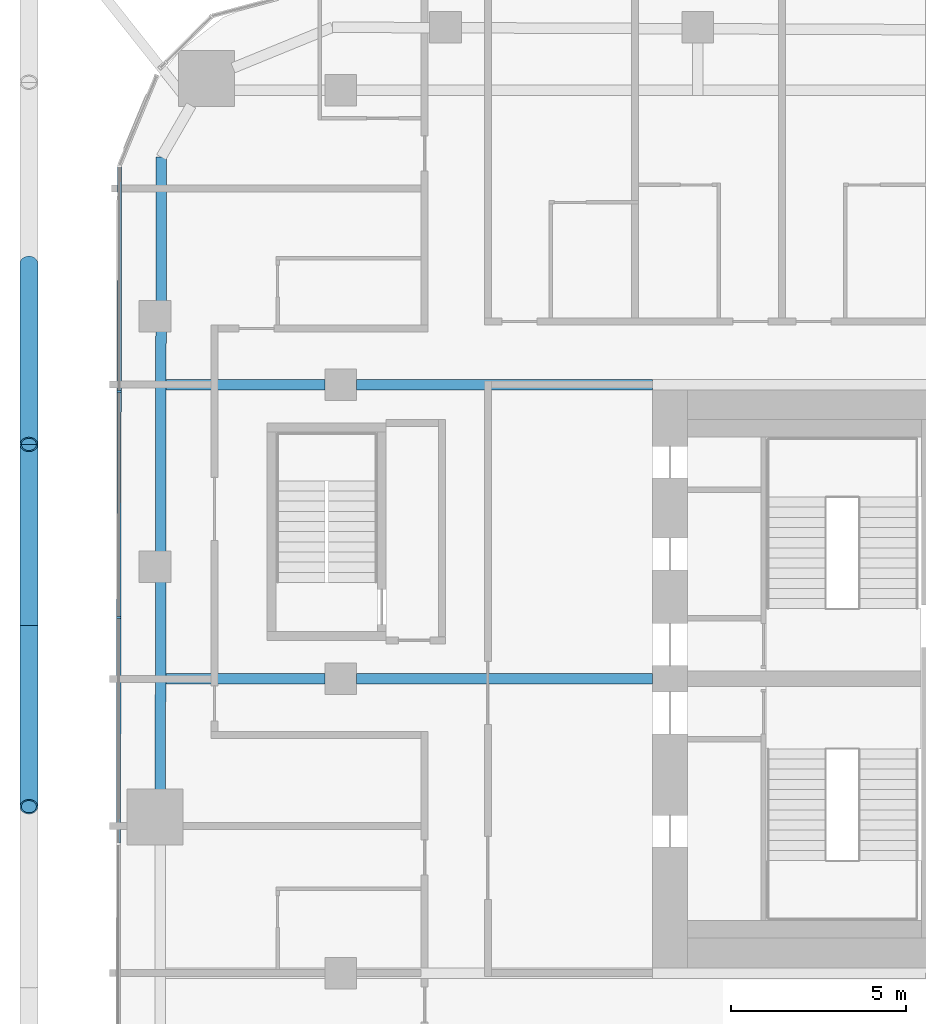
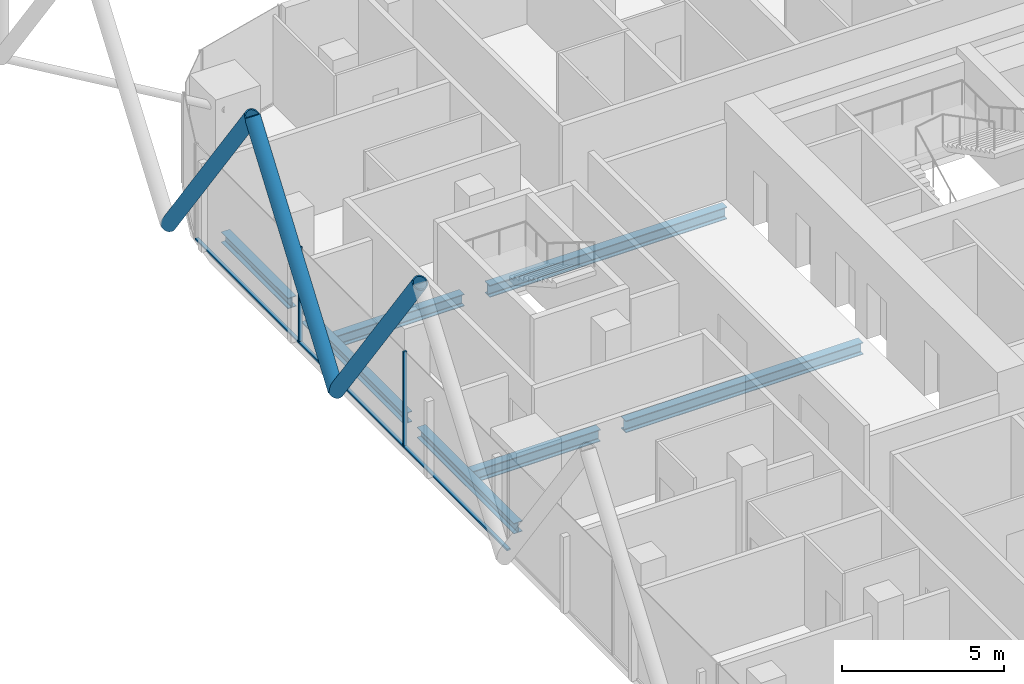
# One storey, part 9 of 33: 8 members, 7 beams, 1 element without a shape of its own.
"""IFC4 building model written with IfcOpenShell, lengths in metres."""

import ifcopenshell
import ifcopenshell.guid

model = None  # the IFC model being written
_history = None  # IfcOwnerHistory: only IFC2X3 demands one
_inside = {}  # id of a spatial element -> (the spatial element, [elements in it])
_under = {}  # id of a project, library or spatial element -> (it, [spatial elements below it])
_declared = {}  # id of a project -> (the project, [libraries it declares])
_typed = {}  # id of a type object -> (the type object, [elements of that type])
_made_of = {}  # id of a material, layer set ... -> (it, [elements and type objects made of it])


def new_model(schema):
    """Start an empty IFC model of exactly this schema.

    Asked for "IFC4X3", IfcOpenShell would pick the latest addendum, in which some entities
    have other attributes; the version numbers below select the first issue.
    IFC2X3 requires an IfcOwnerHistory on every rooted entity: one is made here for all.
    """
    global model, _history
    if schema == "IFC4X3":
        model = ifcopenshell.file(schema_version=(4, 3, 0, 0))
    else:
        model = ifcopenshell.file(schema=schema)
    _inside.clear()
    _under.clear()
    _declared.clear()
    _typed.clear()
    _made_of.clear()
    _history = None
    if model.schema == "IFC2X3":
        org = make("IfcOrganization", Name="unknown")
        user = make(
            "IfcPersonAndOrganization",
            ThePerson=make("IfcPerson", FamilyName="unknown"),
            TheOrganization=org,
        )
        app = make(
            "IfcApplication",
            ApplicationDeveloper=org,
            Version="unknown",
            ApplicationFullName="unknown",
            ApplicationIdentifier="unknown",
        )
        _history = make(
            "IfcOwnerHistory",
            OwningUser=user,
            OwningApplication=app,
            ChangeAction="ADDED",
            CreationDate=0,
        )
    return model


def make(cls, **values):
    """One entity of the class cls with the attributes given. An attribute that is None is left unset."""
    return model.create_entity(
        cls, **{name: value for name, value in values.items() if value is not None}
    )


def rooted(cls, **values):
    """An entity with a GlobalId (a new one), such as an element, a storey or a relation."""
    return make(cls, GlobalId=ifcopenshell.guid.new(), OwnerHistory=_history, **values)


def si_unit(unit_type, name, prefix=None):
    """IfcSIUnit, for example si_unit("LENGTHUNIT", "METRE", prefix="MILLI")."""
    return make("IfcSIUnit", UnitType=unit_type, Prefix=prefix, Name=name)


def assignment(units):
    """IfcUnitAssignment: the units of a project."""
    return None if units is None else make("IfcUnitAssignment", Units=units)


def point(xyz):
    """IfcCartesianPoint."""
    return None if xyz is None else make("IfcCartesianPoint", Coordinates=xyz)


def direction(xyz):
    """IfcDirection."""
    return None if xyz is None else make("IfcDirection", DirectionRatios=xyz)


def frame(location, z_axis=None, x_axis=None):
    """IfcAxis2Placement3D, a coordinate frame: its origin and axes. An axis left out is left unset."""
    return make(
        "IfcAxis2Placement3D",
        Location=point(location),
        Axis=direction(z_axis),
        RefDirection=direction(x_axis),
    )


def frame_2d(location, x_axis=None):
    """IfcAxis2Placement2D, a coordinate frame in the plane: its origin and x axis."""
    return make(
        "IfcAxis2Placement2D", Location=point(location), RefDirection=direction(x_axis)
    )


def origin():
    """The frame at (0, 0, 0) with its axes left unset."""
    return frame((0.0, 0.0, 0.0))


def origin_2d():
    """The frame at (0, 0) in the plane with its x axis left unset."""
    return frame_2d((0.0, 0.0))


def place(relative_to, where):
    """IfcLocalPlacement: puts the frame where relative to a parent placement (None: the world)."""
    return make(
        "IfcLocalPlacement", PlacementRelTo=relative_to, RelativePlacement=where
    )


def context(
    kind, dimensions, precision=None, world=None, true_north=None, identifier=None
):
    """IfcGeometricRepresentationContext, for example the 3D "Model" context."""
    return make(
        "IfcGeometricRepresentationContext",
        ContextIdentifier=identifier,
        ContextType=kind,
        CoordinateSpaceDimension=dimensions,
        Precision=precision,
        WorldCoordinateSystem=world,
        TrueNorth=true_north,
    )


def subcontext(parent, identifier, kind, view, scale=None):
    """IfcGeometricRepresentationSubContext, for example "Body" below "Model"."""
    return make(
        "IfcGeometricRepresentationSubContext",
        ContextIdentifier=identifier,
        ContextType=kind,
        ParentContext=parent,
        TargetScale=scale,
        TargetView=view,
    )


def project(units=None, contexts=None):
    """IfcProject with its units and contexts."""
    return rooted(
        "IfcProject",
        Name="project",
        RepresentationContexts=contexts,
        UnitsInContext=assignment(units),
    )


def spatial(cls, under=None, at=None, **own):
    """A site, building, storey or space (cls), placed at a placement, below another one or the project."""
    s = rooted(cls, ObjectPlacement=at, **own)
    if under is not None:
        _under.setdefault(under.id(), (under, []))[1].append(s)
    return s


def profile(cls, at=None, kind="AREA", **sizes):
    """A parametric profile (cls). Its sizes go by their IFC names, for example OverallWidth=200.0."""
    return make(cls, ProfileType=kind, Position=at, **sizes)


def rectangle(**sizes):
    """IfcRectangleProfileDef."""
    return profile("IfcRectangleProfileDef", **sizes)


def hollow_circle(**sizes):
    """IfcCircleHollowProfileDef."""
    return profile("IfcCircleHollowProfileDef", **sizes)


def i_section(**sizes):
    """IfcIShapeProfileDef."""
    return profile("IfcIShapeProfileDef", **sizes)


def extrude(swept, where, along, depth):
    """IfcExtrudedAreaSolid: the profile swept, set in the frame where, extruded along a direction by depth."""
    return make(
        "IfcExtrudedAreaSolid",
        SweptArea=swept,
        Position=where,
        ExtrudedDirection=direction(along),
        Depth=depth,
    )


def shape(context_of_items, identifier, shape_type, items):
    """IfcShapeRepresentation: the items that make up one representation, for example the "Body"."""
    return make(
        "IfcShapeRepresentation",
        ContextOfItems=context_of_items,
        RepresentationIdentifier=identifier,
        RepresentationType=shape_type,
        Items=items,
    )


def material(Name=None, Category=None):
    """IfcMaterial."""
    return make("IfcMaterial", Name=Name, Category=Category)


def layer(
    of_material, thickness, ventilated=None, Name=None, Category=None, Priority=None
):
    """IfcMaterialLayer: one layer of a wall or slab, of a material (None: an air gap)."""
    return make(
        "IfcMaterialLayer",
        Material=of_material,
        LayerThickness=thickness,
        IsVentilated=ventilated,
        Name=Name,
        Category=Category,
        Priority=Priority,
    )


def layer_set(layers, Name=None):
    """IfcMaterialLayerSet."""
    return make("IfcMaterialLayerSet", MaterialLayers=layers, LayerSetName=Name)


def material_profile(
    of_material, cross_section, Name=None, Category=None, Priority=None
):
    """IfcMaterialProfile: a cross section and its material."""
    return make(
        "IfcMaterialProfile",
        Name=Name,
        Material=of_material,
        Profile=cross_section,
        Priority=Priority,
        Category=Category,
    )


def profile_set(profiles, Name=None, composite=None):
    """IfcMaterialProfileSet."""
    return make(
        "IfcMaterialProfileSet",
        Name=Name,
        MaterialProfiles=profiles,
        CompositeProfile=composite,
    )


def made_of(thing, what):
    """Note that an element or type object is made of a material, layer set ...; save() writes the relation."""
    if what is not None:
        _made_of.setdefault(what.id(), (what, []))[1].append(thing)
    return thing


def type_object(cls, material=None, **own):
    """A type object (cls), such as IfcWallType, which elements share."""
    return made_of(rooted(cls, **own), material)


def element(
    cls,
    number,
    at=None,
    inside=None,
    cuts=None,
    type_object=None,
    material=None,
    context=None,
    identifier="Body",
    shape_type=None,
    held_by="IfcProductDefinitionShape",
    body=None,
    shapes=None,
    **own,
):
    """One element of the class cls, such as IfcWall. Its Tag is "e" and its number.

    at: its placement. inside: the storey or other place that contains it. cuts: it is an
    opening in that element (IfcRelVoidsElement). A single representation is given by context,
    identifier, shape_type and body (its items); several are given by shapes. held_by: the class
    of the entity that holds the representations. save() writes the other relations.
    """
    e = rooted(cls, Tag="e%d" % number, ObjectPlacement=at, **own)
    if body is not None:
        shapes = [shape(context, identifier, shape_type, body)]
    if shapes is not None:
        e.Representation = make(held_by, Representations=shapes)
    if inside is not None:
        _inside.setdefault(inside.id(), (inside, []))[1].append(e)
    if cuts is not None:
        rooted(
            "IfcRelVoidsElement", RelatingBuildingElement=cuts, RelatedOpeningElement=e
        )
    if type_object is not None:
        _typed.setdefault(type_object.id(), (type_object, []))[1].append(e)
    return made_of(e, material)


def aggregate(whole, parts):
    """IfcRelAggregates: a whole, such as a stair, and the parts it consists of."""
    return rooted("IfcRelAggregates", RelatingObject=whole, RelatedObjects=parts)


def save(model, path):
    """Write the relations noted so far, then the file.

    IfcRelAggregates (storeys below a building ...), IfcRelContainedInSpatialStructure (elements
    in a storey), IfcRelDefinesByType, IfcRelAssociatesMaterial and IfcRelDeclares: one each for
    every whole, place, type object, material and project.
    """
    for whole, parts in _under.values():
        aggregate(whole, parts)
    for where, things in _inside.values():
        rooted(
            "IfcRelContainedInSpatialStructure",
            RelatedElements=things,
            RelatingStructure=where,
        )
    for kind, things in _typed.values():
        rooted("IfcRelDefinesByType", RelatedObjects=things, RelatingType=kind)
    for what, things in _made_of.values():
        rooted("IfcRelAssociatesMaterial", RelatedObjects=things, RelatingMaterial=what)
    for by, libraries in _declared.values():
        rooted("IfcRelDeclares", RelatingContext=by, RelatedDefinitions=libraries)
    model.write(path)


model = new_model("IFC4")

# Units and contexts
model_context = context("Model", 3, precision=1e-05, world=origin(), true_north=direction((0.0, 1.0)))
body_context = subcontext(model_context, "Body", "Model", "MODEL_VIEW")
ifc_project = project(units=[si_unit("LENGTHUNIT", "METRE"), si_unit("AREAUNIT", "SQUARE_METRE"), si_unit("VOLUMEUNIT", "CUBIC_METRE"), si_unit("PLANEANGLEUNIT", "RADIAN"), si_unit("MASSUNIT", "GRAM", prefix="KILO")], contexts=[model_context])

# Site, building, storey
site_placement = place(None, origin())
site = spatial("IfcSite", under=ifc_project, at=site_placement, CompositionType="ELEMENT")
building_placement = place(site_placement, origin())
building = spatial("IfcBuilding", under=site, at=building_placement, Name="Marenta Gate Hotel Tower", CompositionType="ELEMENT")
storey_placement = place(building_placement, frame((0.0, 0.0, 122.89990234375)))
storey = spatial("IfcBuildingStorey", under=building, at=storey_placement, Name="L27", CompositionType="ELEMENT", Elevation=122.89990234375)

# Members
ifc_material_1 = material(Name="Steel S355J2W", Category="steel")
ifc_material_profile_1 = material_profile(ifc_material_1, hollow_circle(Radius=0.25390625, WallThickness=0.0400390625, at=origin_2d()), Name="CHS 508x40")
ifc_profile_set_1 = profile_set([ifc_material_profile_1], Name="Steel S355J2W")
member_type_1 = type_object("IfcMemberType", Name="Diagrid diagonal Z2 CHS 508x40", PredefinedType="BRACE", material=ifc_profile_set_1)
member_1_placement = place(storey_placement, frame((-29.89990234375, 9.919921875, 3.14013671875), z_axis=(0.0, -0.583260841117, 0.812284919975), x_axis=(1.0, 0.0, 0.0)))
element("IfcMember", 1, at=member_1_placement, inside=storey, type_object=member_type_1, Name="L27-DG-30", PredefinedType="BRACE", context=body_context, shape_type="SweptSolid", body=[
    extrude(hollow_circle(Radius=0.25390625, WallThickness=0.0400390625, at=origin_2d()), origin(), (0.0, 0.0, 1.0), 8.86376953125),
])
member_2_placement = place(storey_placement, frame((-29.89990234375, 9.919921875, 3.14013671875), z_axis=(0.0, 0.583279014058, 0.812271870595), x_axis=(-1.0, 0.0, 0.0)))
element("IfcMember", 2, at=member_2_placement, inside=storey, type_object=member_type_1, Name="L27-DG-31", PredefinedType="BRACE", context=body_context, shape_type="SweptSolid", body=[
    extrude(hollow_circle(Radius=0.25390625, WallThickness=0.0400390625, at=origin_2d()), origin(), (0.0, 0.0, 1.0), 8.864013671875),
])
member_3_placement = place(storey_placement, frame((-29.89990234375, 20.260009765625, 3.14013671875), z_axis=(0.0, -0.583260841117, 0.812284919975), x_axis=(1.0, 0.0, 0.0)))
element("IfcMember", 3, at=member_3_placement, inside=storey, type_object=member_type_1, Name="L27-DG-32", PredefinedType="BRACE", context=body_context, shape_type="SweptSolid", body=[
    extrude(hollow_circle(Radius=0.25390625, WallThickness=0.0400390625, at=origin_2d()), origin(), (0.0, 0.0, 1.0), 8.86376953125),
])

# Beams
ifc_material_2 = material(Name="Steel S355", Category="steel")
ifc_material_profile_2 = material_profile(ifc_material_2, i_section(OverallWidth=0.300048828125, OverallDepth=0.39990234375, WebThickness=0.013427734375, FlangeThickness=0.02392578125, FilletRadius=0.027099609375, at=origin_2d()), Name="HEB 400")
ifc_profile_set_2 = profile_set([ifc_material_profile_2], Name="Steel S355")
beam_type_1 = type_object("IfcBeamType", Name="Edge beam HEB 400", PredefinedType="SPANDREL", material=ifc_profile_set_2)
beam_1_placement = place(storey_placement, frame((-26.146484375, 5.2099609375, -0.4599609375), z_axis=(0.001387357379, 0.999999037619, 0.0), x_axis=(-0.999999037619, 0.001387357379, 0.0)))
element("IfcBeam", 4, at=beam_1_placement, inside=storey, type_object=beam_type_1, Name="L27-EB-8", PredefinedType="SPANDREL", context=body_context, shape_type="SweptSolid", body=[
    extrude(i_section(OverallWidth=0.300048828125, OverallDepth=0.39990234375, WebThickness=0.013427734375, FlangeThickness=0.02392578125, FilletRadius=0.027099609375, at=origin_2d()), origin(), (0.0, 0.0, 1.0), 5.983154296875),
])
beam_2_placement = place(storey_placement, frame((-26.136962890625, 12.01318359375, -0.4599609375), z_axis=(0.001387763206, 0.999999037056, 0.0), x_axis=(-0.999999037056, 0.001387763206, 0.0)))
element("IfcBeam", 5, at=beam_2_placement, inside=storey, type_object=beam_type_1, Name="L27-EB-9", PredefinedType="SPANDREL", context=body_context, shape_type="SweptSolid", body=[
    extrude(i_section(OverallWidth=0.300048828125, OverallDepth=0.39990234375, WebThickness=0.013427734375, FlangeThickness=0.02392578125, FilletRadius=0.027099609375, at=origin_2d()), origin(), (0.0, 0.0, 1.0), 6.333251953125),
])
beam_3_placement = place(storey_placement, frame((-26.126953125, 19.16650390625, -0.4599609375), z_axis=(0.001361187116, 0.999999073584, 0.0), x_axis=(-0.999999073584, 0.001361187116, 0.0)))
element("IfcBeam", 6, at=beam_3_placement, inside=storey, type_object=beam_type_1, Name="L27-EB-10", PredefinedType="SPANDREL", context=body_context, shape_type="SweptSolid", body=[
    extrude(i_section(OverallWidth=0.300048828125, OverallDepth=0.39990234375, WebThickness=0.013427734375, FlangeThickness=0.02392578125, FilletRadius=0.027099609375, at=origin_2d()), origin(), (0.0, 0.0, 1.0), 4.125244140625),
])
ifc_material_3 = material(Name="Steel S355", Category="steel")
ifc_material_profile_3 = material_profile(ifc_material_3, i_section(OverallWidth=0.300048828125, OverallDepth=0.449951171875, WebThickness=0.013916015625, FlangeThickness=0.02587890625, FilletRadius=0.027099609375, at=origin_2d()), Name="HEB 450")
ifc_profile_set_3 = profile_set([ifc_material_profile_3], Name="Steel S355")
beam_type_2 = type_object("IfcBeamType", Name="Girder HEB 450", PredefinedType="BEAM", material=ifc_profile_set_3)
beam_4_placement = place(storey_placement, frame((-25.991943359375, 8.39990234375, -0.48486328125), z_axis=(1.0, 0.0, 0.0), x_axis=(0.0, 1.0, 0.0)))
element("IfcBeam", 7, at=beam_4_placement, inside=storey, type_object=beam_type_2, Name="L27-GD-20", PredefinedType="BEAM", context=body_context, shape_type="SweptSolid", body=[
    extrude(i_section(OverallWidth=0.300048828125, OverallDepth=0.449951171875, WebThickness=0.013916015625, FlangeThickness=0.02587890625, FilletRadius=0.027099609375, at=origin_2d()), origin(), (0.0, 0.0, 1.0), 4.5419921875),
])
beam_5_placement = place(storey_placement, frame((-20.550048828125, 8.39990234375, -0.48486328125), z_axis=(1.0, 0.0, 0.0), x_axis=(0.0, 1.0, 0.0)))
element("IfcBeam", 8, at=beam_5_placement, inside=storey, type_object=beam_type_2, Name="L27-GD-21", PredefinedType="BEAM", context=body_context, shape_type="SweptSolid", body=[
    extrude(i_section(OverallWidth=0.300048828125, OverallDepth=0.449951171875, WebThickness=0.013916015625, FlangeThickness=0.02587890625, FilletRadius=0.027099609375, at=origin_2d()), origin(), (0.0, 0.0, 1.0), 8.449951171875),
])
beam_6_placement = place(storey_placement, frame((-25.980224609375, 16.800048828125, -0.48486328125), z_axis=(1.0, 0.0, 0.0), x_axis=(0.0, 1.0, 0.0)))
element("IfcBeam", 9, at=beam_6_placement, inside=storey, type_object=beam_type_2, Name="L27-GD-24", PredefinedType="BEAM", context=body_context, shape_type="SweptSolid", body=[
    extrude(i_section(OverallWidth=0.300048828125, OverallDepth=0.449951171875, WebThickness=0.013916015625, FlangeThickness=0.02587890625, FilletRadius=0.027099609375, at=origin_2d()), origin(), (0.0, 0.0, 1.0), 4.5302734375),
])
beam_7_placement = place(storey_placement, frame((-20.550048828125, 16.800048828125, -0.48486328125), z_axis=(1.0, 0.0, 0.0), x_axis=(0.0, 1.0, 0.0)))
element("IfcBeam", 10, at=beam_7_placement, inside=storey, type_object=beam_type_2, Name="L27-GD-25", PredefinedType="BEAM", context=body_context, shape_type="SweptSolid", body=[
    extrude(i_section(OverallWidth=0.300048828125, OverallDepth=0.449951171875, WebThickness=0.013916015625, FlangeThickness=0.02587890625, FilletRadius=0.027099609375, at=origin_2d()), origin(), (0.0, 0.0, 1.0), 8.449951171875),
])

# Curtain wall, members
ifc_material_4 = material(Name="Tinted insulated glass in bronze anodised frame", Category="glass")
ifc_layer = layer(ifc_material_4, 0.1201171875)
ifc_layer_set = layer_set([ifc_layer], Name="Tinted insulated glass in bronze anodised frame")
curtain_wall_type = type_object("IfcCurtainWallType", Name="Tower unitised curtain wall CW1", PredefinedType="NOTDEFINED", material=ifc_layer_set)
curtain_wall_placement = place(storey_placement, origin())
curtain_wall = element("IfcCurtainWall", 11, at=curtain_wall_placement, inside=storey, type_object=curtain_wall_type, Name="CW1 run G04", PredefinedType="NOTDEFINED")
ifc_material_5 = material(Name="Bronze anodised aluminium", Category="aluminium")
ifc_material_profile_4 = material_profile(ifc_material_5, rectangle(XDim=0.1201171875, YDim=0.06005859375, at=origin_2d()), Name="Mullion CW1 60x120 bronze anodised aluminium")
ifc_profile_set_4 = profile_set([ifc_material_profile_4], Name="Bronze anodised aluminium")
member_type_2 = type_object("IfcMemberType", Name="Mullion CW1 60x120 bronze anodised aluminium", PredefinedType="MULLION", material=ifc_profile_set_4)
member_4_placement = place(storey_placement, frame((-27.322509765625, 16.606201171875, 0.0), z_axis=(0.0, 0.0, 1.0), x_axis=(0.99999877375, -0.001566045546, 0.0)))
member_4 = element("IfcMember", 12, at=member_4_placement, type_object=member_type_2, Name="CW1 mullion 2", PredefinedType="MULLION", context=body_context, shape_type="SweptSolid", body=[
    extrude(rectangle(XDim=0.1201171875, YDim=0.06005859375, at=origin_2d()), origin(), (0.0, 0.0, 1.0), 3.60009765625),
])
member_5_placement = place(storey_placement, frame((-27.33251953125, 10.146240234375, 0.0), z_axis=(0.0, 0.0, 1.0), x_axis=(0.99999877375, -0.001566045546, 0.0)))
member_5 = element("IfcMember", 13, at=member_5_placement, type_object=member_type_2, Name="CW1 mullion 3", PredefinedType="MULLION", context=body_context, shape_type="SweptSolid", body=[
    extrude(rectangle(XDim=0.1201171875, YDim=0.06005859375, at=origin_2d()), origin(), (0.0, 0.0, 1.0), 3.60009765625),
])
ifc_material_6 = material(Name="Bronze anodised aluminium", Category="aluminium")
ifc_material_profile_5 = material_profile(ifc_material_6, rectangle(XDim=0.1201171875, YDim=0.06005859375, at=origin_2d()), Name="Transom CW1 60x120 bronze anodised aluminium")
ifc_profile_set_5 = profile_set([ifc_material_profile_5], Name="Bronze anodised aluminium")
member_type_3 = type_object("IfcMemberType", Name="Transom CW1 60x120 bronze anodised aluminium", PredefinedType="USERDEFINED", material=ifc_profile_set_5)
member_6_placement = place(storey_placement, frame((-27.3125, 23.006103515625, 0.030029296875), z_axis=(-0.001533093902, -0.999998824811, 0.0), x_axis=(0.999998824811, -0.001533093902, 0.0)))
member_6 = element("IfcMember", 14, at=member_6_placement, type_object=member_type_3, Name="CW1 transom 1.1", ObjectType="TRANSOM", PredefinedType="USERDEFINED", context=body_context, shape_type="SweptSolid", body=[
    extrude(rectangle(XDim=0.1201171875, YDim=0.06005859375, at=origin_2d()), origin(), (0.0, 0.0, 1.0), 6.369873046875),
])
member_7_placement = place(storey_placement, frame((-27.322509765625, 16.576171875, 0.030029296875), z_axis=(-0.001564047831, -0.999998776876, 0.0), x_axis=(0.999998776876, -0.001564047831, 0.0)))
member_7 = element("IfcMember", 15, at=member_7_placement, type_object=member_type_3, Name="CW1 transom 2.1", ObjectType="TRANSOM", PredefinedType="USERDEFINED", context=body_context, shape_type="SweptSolid", body=[
    extrude(rectangle(XDim=0.1201171875, YDim=0.06005859375, at=origin_2d()), origin(), (0.0, 0.0, 1.0), 6.39990234375),
])
member_8_placement = place(storey_placement, frame((-27.33251953125, 10.1162109375, 0.030029296875), z_axis=(-0.001564047831, -0.999998776876, 0.0), x_axis=(0.999998776876, -0.001564047831, 0.0)))
member_8 = element("IfcMember", 16, at=member_8_placement, type_object=member_type_3, Name="CW1 transom 3.1", ObjectType="TRANSOM", PredefinedType="USERDEFINED", context=body_context, shape_type="SweptSolid", body=[
    extrude(rectangle(XDim=0.1201171875, YDim=0.06005859375, at=origin_2d()), origin(), (0.0, 0.0, 1.0), 6.39990234375),
])
aggregate(curtain_wall, [member_4, member_5, member_6, member_7, member_8])

save(model, "model.ifc")
